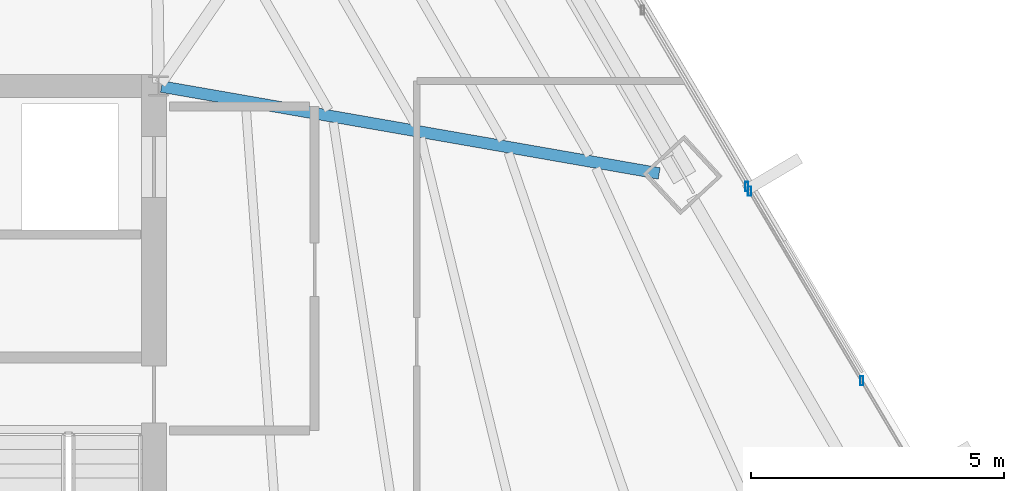
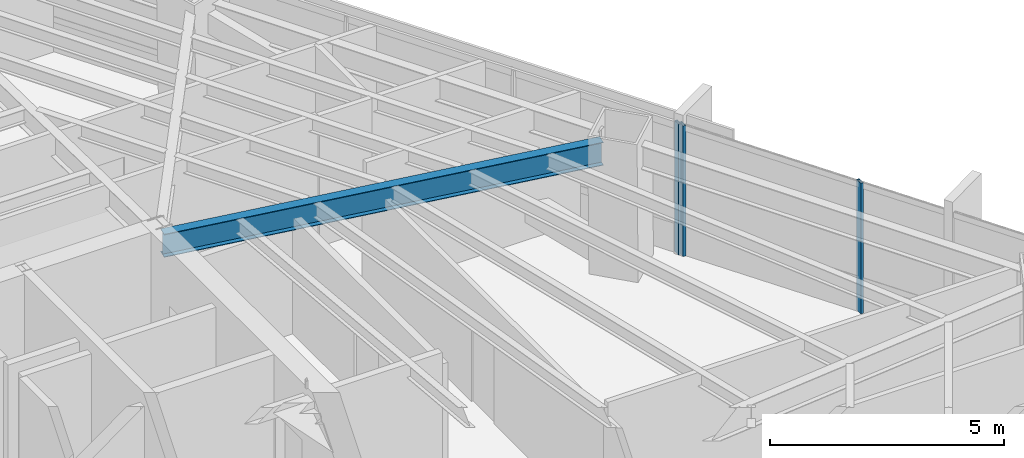
# One storey, part 20 of 35: 3 members, 1 beam, 2 elements without a shape of their own.
"""IFC4 building model written with IfcOpenShell, lengths in metres."""

from ifc_helpers import new_model, si_unit, direction, frame, origin, origin_2d, place, context, subcontext, project, spatial, hollow_rectangle, i_section, extrude, source, transform, mapped, material, material_profile, profile_set, type_object, type_shapes, element, aggregate, save


model = new_model("IFC4")

# Units and contexts
model_context = context("Model", 3, precision=1e-05, world=origin(), true_north=direction((0.0, 1.0)))
body_context = subcontext(model_context, "Body", "Model", "MODEL_VIEW")
ifc_project = project(units=[si_unit("LENGTHUNIT", "METRE"), si_unit("AREAUNIT", "SQUARE_METRE"), si_unit("VOLUMEUNIT", "CUBIC_METRE"), si_unit("PLANEANGLEUNIT", "RADIAN"), si_unit("MASSUNIT", "GRAM", prefix="KILO")], contexts=[model_context])

# Site, building, storey
site_placement = place(None, origin())
site = spatial("IfcSite", under=ifc_project, at=site_placement, CompositionType="ELEMENT")
building_placement = place(site_placement, origin())
building = spatial("IfcBuilding", under=site, at=building_placement, Name="Caelisora Broadcast Tower", CompositionType="ELEMENT")
storey_placement = place(building_placement, frame((0.0, 0.0, 109.050048828125)))
storey = spatial("IfcBuildingStorey", under=building, at=storey_placement, Name="L28", CompositionType="ELEMENT", Elevation=109.050048828125)

# Beam
ifc_material_1 = material(Name="Steel Grade 350 (AS/NZS 3679.1)", Category="steel")
ifc_material_profile_1 = material_profile(ifc_material_1, i_section(OverallWidth=0.22802734375, OverallDepth=0.602294921875, WebThickness=0.010498046875, FlangeThickness=0.014892578125, at=origin_2d()), Name="Steel Grade 350 (AS/NZS 3679.1)")
ifc_profile_set_1 = profile_set([ifc_material_profile_1], Name="Steel Grade 350 (AS/NZS 3679.1)")
beam_type = type_object("IfcBeamType", Name="PG04", PredefinedType="BEAM", material=ifc_profile_set_1)
shared_shape_1 = source(origin(), body_context, "Body", "SweptSolid", [
    extrude(i_section(OverallWidth=0.22802734375, OverallDepth=0.602294921875, WebThickness=0.010498046875, FlangeThickness=0.014892578125, at=origin_2d()), origin(), (0.0, 0.0, 1.0), 9.9736328125),
])
type_shapes(beam_type, [shared_shape_1])
beam_placement = place(storey_placement, frame((45.55908203125, 29.98974609375, 3.098876953125), z_axis=(0.985099074989, -0.171987826476, 0.0), x_axis=(0.171987826476, 0.985099074989, 0.0)))
element("IfcBeam", 1, at=beam_placement, inside=storey, type_object=beam_type, Name="L28 beam PG04", PredefinedType="BEAM", context=body_context, shape_type="MappedRepresentation", body=[
    mapped(shared_shape_1, transform((0.0, 0.0, 0.0), scale=1.0)),
])

# Curtain wall, member
ifc_material_2 = material(Name="Unitised Aluminium Insulated Shadow-Box Spandrel Curtain Wall", Category="aluminium")
curtain_wall_type_1 = type_object("IfcCurtainWallType", Name="CW-SP1", PredefinedType="NOTDEFINED", material=ifc_material_2)
curtain_wall_1_placement = place(storey_placement, origin())
curtain_wall_1 = element("IfcCurtainWall", 2, at=curtain_wall_1_placement, inside=storey, type_object=curtain_wall_type_1, Name="L28 curtain wall CW-SP1", PredefinedType="NOTDEFINED")
ifc_material_3 = material(Name="Aluminium 6063-T6 Anodised Terracotta Bronze", Category="aluminium")
ifc_material_profile_2 = material_profile(ifc_material_3, hollow_rectangle(XDim=0.06494140625, YDim=0.179931640625, WallThickness=0.00341796875, at=origin_2d()), Name="Aluminium 6063-T6 Anodised Terracotta Bronze")
ifc_profile_set_2 = profile_set([ifc_material_profile_2], Name="Aluminium 6063-T6 Anodised Terracotta Bronze")
member_type = type_object("IfcMemberType", Name="CWM-02", PredefinedType="MULLION", material=ifc_profile_set_2)
shared_shape_2 = source(origin(), body_context, "Body", "SweptSolid", [
    extrude(hollow_rectangle(XDim=0.06494140625, YDim=0.179931640625, WallThickness=0.00341796875, at=origin_2d()), origin(), (0.0, 0.0, 1.0), 3.39990234375),
])
type_shapes(member_type, [shared_shape_2])
member_1_placement = place(storey_placement, frame((57.11279296875, 28.01708984375, 0.0), z_axis=(0.0, 0.0, 1.0), x_axis=(1.0, 0.0, 0.0)))
member_1 = element("IfcMember", 3, at=member_1_placement, type_object=member_type, Name="L28-CW-B02 mullion #3", PredefinedType="MULLION", context=body_context, shape_type="MappedRepresentation", body=[
    mapped(shared_shape_2, transform((0.0, 0.0, 0.0), scale=1.0)),
])
aggregate(curtain_wall_1, [member_1])

# Curtain wall, members
ifc_material_4 = material(Name="Unitised Aluminium and Low-E Glass Curtain Wall", Category="glass")
curtain_wall_type_2 = type_object("IfcCurtainWallType", Name="CW-Z2", PredefinedType="NOTDEFINED", material=ifc_material_4)
curtain_wall_2_placement = place(storey_placement, origin())
curtain_wall_2 = element("IfcCurtainWall", 4, at=curtain_wall_2_placement, inside=storey, type_object=curtain_wall_type_2, Name="L28 curtain wall CW-Z2", PredefinedType="NOTDEFINED")
member_2_placement = place(storey_placement, frame((57.1689453125, 27.922607421875, 0.0), z_axis=(0.0, 0.0, 1.0), x_axis=(1.0, 0.0, 0.0)))
member_2 = element("IfcMember", 5, at=member_2_placement, type_object=member_type, Name="L28-CW-B03 mullion #0", PredefinedType="MULLION", context=body_context, shape_type="MappedRepresentation", body=[
    mapped(shared_shape_2, transform((0.0, 0.0, 0.0), scale=1.0)),
])
member_3_placement = place(storey_placement, frame((59.383544921875, 24.181884765625, 0.0), z_axis=(0.0, 0.0, 1.0), x_axis=(1.0, 0.0, 0.0)))
member_3 = element("IfcMember", 6, at=member_3_placement, type_object=member_type, Name="L28-CW-B03 mullion #1", PredefinedType="MULLION", context=body_context, shape_type="MappedRepresentation", body=[
    mapped(shared_shape_2, transform((0.0, 0.0, 0.0), scale=1.0)),
])
aggregate(curtain_wall_2, [member_2, member_3])

save(model, "model.ifc")
